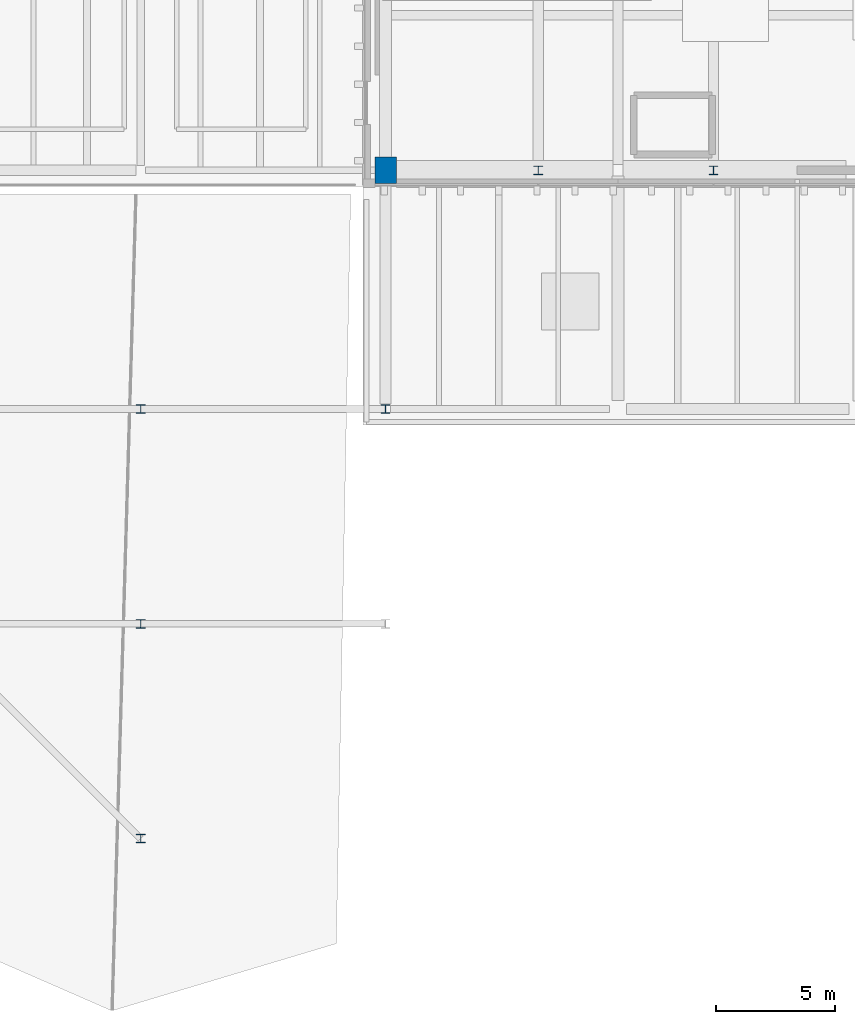
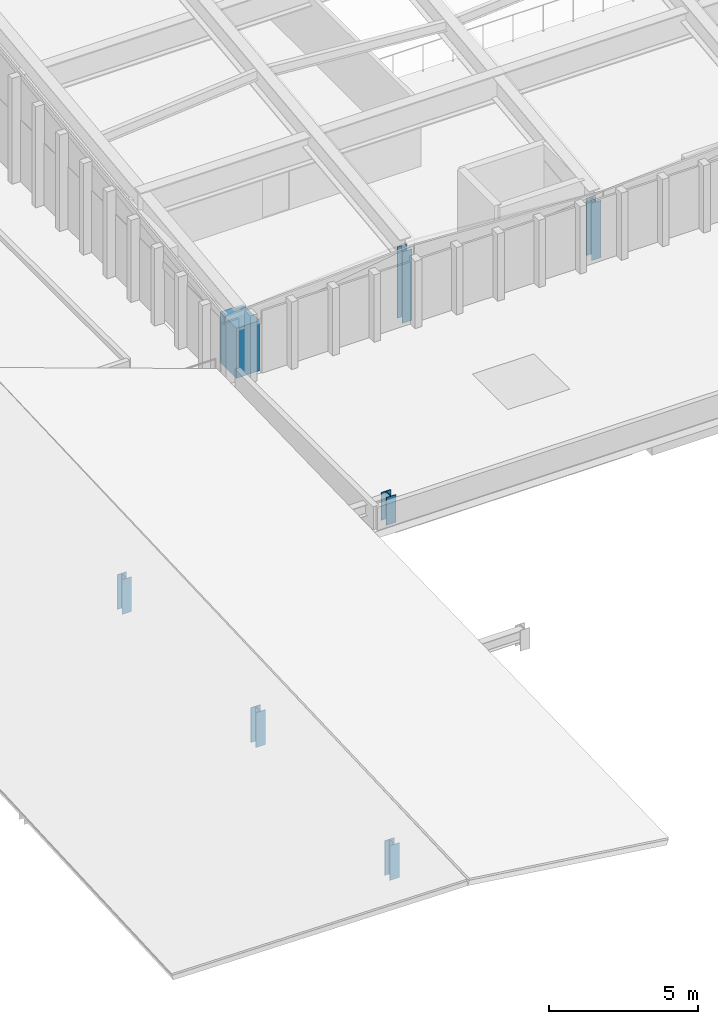
# One storey, part 2 of 30: 7 columns.
"""IFC4 building model written with IfcOpenShell, lengths in metres."""

import ifcopenshell
import ifcopenshell.guid

model = None  # the IFC model being written
_history = None  # IfcOwnerHistory: only IFC2X3 demands one
_inside = {}  # id of a spatial element -> (the spatial element, [elements in it])
_under = {}  # id of a project, library or spatial element -> (it, [spatial elements below it])
_declared = {}  # id of a project -> (the project, [libraries it declares])
_typed = {}  # id of a type object -> (the type object, [elements of that type])
_made_of = {}  # id of a material, layer set ... -> (it, [elements and type objects made of it])


def new_model(schema):
    """Start an empty IFC model of exactly this schema.

    Asked for "IFC4X3", IfcOpenShell would pick the latest addendum, in which some entities
    have other attributes; the version numbers below select the first issue.
    IFC2X3 requires an IfcOwnerHistory on every rooted entity: one is made here for all.
    """
    global model, _history
    if schema == "IFC4X3":
        model = ifcopenshell.file(schema_version=(4, 3, 0, 0))
    else:
        model = ifcopenshell.file(schema=schema)
    _inside.clear()
    _under.clear()
    _declared.clear()
    _typed.clear()
    _made_of.clear()
    _history = None
    if model.schema == "IFC2X3":
        org = make("IfcOrganization", Name="unknown")
        user = make(
            "IfcPersonAndOrganization",
            ThePerson=make("IfcPerson", FamilyName="unknown"),
            TheOrganization=org,
        )
        app = make(
            "IfcApplication",
            ApplicationDeveloper=org,
            Version="unknown",
            ApplicationFullName="unknown",
            ApplicationIdentifier="unknown",
        )
        _history = make(
            "IfcOwnerHistory",
            OwningUser=user,
            OwningApplication=app,
            ChangeAction="ADDED",
            CreationDate=0,
        )
    return model


def make(cls, **values):
    """One entity of the class cls with the attributes given. An attribute that is None is left unset."""
    return model.create_entity(
        cls, **{name: value for name, value in values.items() if value is not None}
    )


def rooted(cls, **values):
    """An entity with a GlobalId (a new one), such as an element, a storey or a relation."""
    return make(cls, GlobalId=ifcopenshell.guid.new(), OwnerHistory=_history, **values)


def si_unit(unit_type, name, prefix=None):
    """IfcSIUnit, for example si_unit("LENGTHUNIT", "METRE", prefix="MILLI")."""
    return make("IfcSIUnit", UnitType=unit_type, Prefix=prefix, Name=name)


def assignment(units):
    """IfcUnitAssignment: the units of a project."""
    return None if units is None else make("IfcUnitAssignment", Units=units)


def point(xyz):
    """IfcCartesianPoint."""
    return None if xyz is None else make("IfcCartesianPoint", Coordinates=xyz)


def direction(xyz):
    """IfcDirection."""
    return None if xyz is None else make("IfcDirection", DirectionRatios=xyz)


def frame(location, z_axis=None, x_axis=None):
    """IfcAxis2Placement3D, a coordinate frame: its origin and axes. An axis left out is left unset."""
    return make(
        "IfcAxis2Placement3D",
        Location=point(location),
        Axis=direction(z_axis),
        RefDirection=direction(x_axis),
    )


def frame_2d(location, x_axis=None):
    """IfcAxis2Placement2D, a coordinate frame in the plane: its origin and x axis."""
    return make(
        "IfcAxis2Placement2D", Location=point(location), RefDirection=direction(x_axis)
    )


def origin():
    """The frame at (0, 0, 0) with its axes left unset."""
    return frame((0.0, 0.0, 0.0))


def origin_2d():
    """The frame at (0, 0) in the plane with its x axis left unset."""
    return frame_2d((0.0, 0.0))


def place(relative_to, where):
    """IfcLocalPlacement: puts the frame where relative to a parent placement (None: the world)."""
    return make(
        "IfcLocalPlacement", PlacementRelTo=relative_to, RelativePlacement=where
    )


def context(
    kind, dimensions, precision=None, world=None, true_north=None, identifier=None
):
    """IfcGeometricRepresentationContext, for example the 3D "Model" context."""
    return make(
        "IfcGeometricRepresentationContext",
        ContextIdentifier=identifier,
        ContextType=kind,
        CoordinateSpaceDimension=dimensions,
        Precision=precision,
        WorldCoordinateSystem=world,
        TrueNorth=true_north,
    )


def subcontext(parent, identifier, kind, view, scale=None):
    """IfcGeometricRepresentationSubContext, for example "Body" below "Model"."""
    return make(
        "IfcGeometricRepresentationSubContext",
        ContextIdentifier=identifier,
        ContextType=kind,
        ParentContext=parent,
        TargetScale=scale,
        TargetView=view,
    )


def project(units=None, contexts=None):
    """IfcProject with its units and contexts."""
    return rooted(
        "IfcProject",
        Name="project",
        RepresentationContexts=contexts,
        UnitsInContext=assignment(units),
    )


def spatial(cls, under=None, at=None, **own):
    """A site, building, storey or space (cls), placed at a placement, below another one or the project."""
    s = rooted(cls, ObjectPlacement=at, **own)
    if under is not None:
        _under.setdefault(under.id(), (under, []))[1].append(s)
    return s


def profile(cls, at=None, kind="AREA", **sizes):
    """A parametric profile (cls). Its sizes go by their IFC names, for example OverallWidth=200.0."""
    return make(cls, ProfileType=kind, Position=at, **sizes)


def rectangle(**sizes):
    """IfcRectangleProfileDef."""
    return profile("IfcRectangleProfileDef", **sizes)


def i_section(**sizes):
    """IfcIShapeProfileDef."""
    return profile("IfcIShapeProfileDef", **sizes)


def extrude(swept, where, along, depth):
    """IfcExtrudedAreaSolid: the profile swept, set in the frame where, extruded along a direction by depth."""
    return make(
        "IfcExtrudedAreaSolid",
        SweptArea=swept,
        Position=where,
        ExtrudedDirection=direction(along),
        Depth=depth,
    )


def shape(context_of_items, identifier, shape_type, items):
    """IfcShapeRepresentation: the items that make up one representation, for example the "Body"."""
    return make(
        "IfcShapeRepresentation",
        ContextOfItems=context_of_items,
        RepresentationIdentifier=identifier,
        RepresentationType=shape_type,
        Items=items,
    )


def material(Name=None, Category=None):
    """IfcMaterial."""
    return make("IfcMaterial", Name=Name, Category=Category)


def material_profile(
    of_material, cross_section, Name=None, Category=None, Priority=None
):
    """IfcMaterialProfile: a cross section and its material."""
    return make(
        "IfcMaterialProfile",
        Name=Name,
        Material=of_material,
        Profile=cross_section,
        Priority=Priority,
        Category=Category,
    )


def profile_set(profiles, Name=None, composite=None):
    """IfcMaterialProfileSet."""
    return make(
        "IfcMaterialProfileSet",
        Name=Name,
        MaterialProfiles=profiles,
        CompositeProfile=composite,
    )


def made_of(thing, what):
    """Note that an element or type object is made of a material, layer set ...; save() writes the relation."""
    if what is not None:
        _made_of.setdefault(what.id(), (what, []))[1].append(thing)
    return thing


def type_object(cls, material=None, **own):
    """A type object (cls), such as IfcWallType, which elements share."""
    return made_of(rooted(cls, **own), material)


def element(
    cls,
    number,
    at=None,
    inside=None,
    cuts=None,
    type_object=None,
    material=None,
    context=None,
    identifier="Body",
    shape_type=None,
    held_by="IfcProductDefinitionShape",
    body=None,
    shapes=None,
    **own,
):
    """One element of the class cls, such as IfcWall. Its Tag is "e" and its number.

    at: its placement. inside: the storey or other place that contains it. cuts: it is an
    opening in that element (IfcRelVoidsElement). A single representation is given by context,
    identifier, shape_type and body (its items); several are given by shapes. held_by: the class
    of the entity that holds the representations. save() writes the other relations.
    """
    e = rooted(cls, Tag="e%d" % number, ObjectPlacement=at, **own)
    if body is not None:
        shapes = [shape(context, identifier, shape_type, body)]
    if shapes is not None:
        e.Representation = make(held_by, Representations=shapes)
    if inside is not None:
        _inside.setdefault(inside.id(), (inside, []))[1].append(e)
    if cuts is not None:
        rooted(
            "IfcRelVoidsElement", RelatingBuildingElement=cuts, RelatedOpeningElement=e
        )
    if type_object is not None:
        _typed.setdefault(type_object.id(), (type_object, []))[1].append(e)
    return made_of(e, material)


def aggregate(whole, parts):
    """IfcRelAggregates: a whole, such as a stair, and the parts it consists of."""
    return rooted("IfcRelAggregates", RelatingObject=whole, RelatedObjects=parts)


def save(model, path):
    """Write the relations noted so far, then the file.

    IfcRelAggregates (storeys below a building ...), IfcRelContainedInSpatialStructure (elements
    in a storey), IfcRelDefinesByType, IfcRelAssociatesMaterial and IfcRelDeclares: one each for
    every whole, place, type object, material and project.
    """
    for whole, parts in _under.values():
        aggregate(whole, parts)
    for where, things in _inside.values():
        rooted(
            "IfcRelContainedInSpatialStructure",
            RelatedElements=things,
            RelatingStructure=where,
        )
    for kind, things in _typed.values():
        rooted("IfcRelDefinesByType", RelatedObjects=things, RelatingType=kind)
    for what, things in _made_of.values():
        rooted("IfcRelAssociatesMaterial", RelatedObjects=things, RelatingMaterial=what)
    for by, libraries in _declared.values():
        rooted("IfcRelDeclares", RelatingContext=by, RelatedDefinitions=libraries)
    model.write(path)


model = new_model("IFC4")

# Units and contexts
model_context = context("Model", 3, precision=1e-05, world=origin(), true_north=direction((0.0, 1.0)))
body_context = subcontext(model_context, "Body", "Model", "MODEL_VIEW")
ifc_project = project(units=[si_unit("LENGTHUNIT", "METRE"), si_unit("AREAUNIT", "SQUARE_METRE"), si_unit("VOLUMEUNIT", "CUBIC_METRE"), si_unit("PLANEANGLEUNIT", "RADIAN"), si_unit("MASSUNIT", "GRAM", prefix="KILO")], contexts=[model_context])

# Site, building, storey
site_placement = place(None, origin())
site = spatial("IfcSite", under=ifc_project, at=site_placement, CompositionType="ELEMENT")
building_placement = place(site_placement, origin())
building = spatial("IfcBuilding", under=site, at=building_placement, Name="Trimount Lyric Opera House", CompositionType="ELEMENT")
storey_placement = place(building_placement, frame((0.0, 0.0, 24.800048828125)))
storey = spatial("IfcBuildingStorey", under=building, at=storey_placement, Name="L05", CompositionType="ELEMENT", Elevation=24.800048828125)

# Columns
ifc_material_1 = material(Name="Steel ASTM A992 Grade 50", Category="steel")
ifc_material_profile_1 = material_profile(ifc_material_1, i_section(OverallWidth=0.367919921875, OverallDepth=0.35595703125, WebThickness=0.01123046875, FlangeThickness=0.01806640625, FilletRadius=0.014892578125, at=origin_2d()), Name="W14X90")
ifc_profile_set_1 = profile_set([ifc_material_profile_1], Name="Steel ASTM A992 Grade 50")
column_type_1 = type_object("IfcColumnType", Name="C-05", PredefinedType="COLUMN", material=ifc_profile_set_1)
for number, where, z_axis, x_axis, name in (
    (1, (54.0, 26.0, -0.360107421875), (0.0, 0.0, 1.0), (1.0, 0.0, 0.0), "L05 crystal roof column 54/26"),
    (2, (54.0, 35.0, -0.360107421875), (0.0, 0.0, 1.0), (1.0, 0.0, 0.0), "L05 crystal roof column 54/35"),
    (3, (54.0, 44.0, -0.360107421875), (0.0, 0.0, 1.0), (1.0, 0.0, 0.0), "L05 crystal roof column 54/44"),
):
    element("IfcColumn", number, at=place(storey_placement, frame(where, z_axis=z_axis, x_axis=x_axis)), inside=storey, type_object=column_type_1, Name=name, PredefinedType="COLUMN", context=body_context, shape_type="SweptSolid", body=[
        extrude(i_section(OverallWidth=0.367919921875, OverallDepth=0.35595703125, WebThickness=0.01123046875, FlangeThickness=0.01806640625, FilletRadius=0.014892578125, at=origin_2d()), origin(), (0.0, 0.0, 1.0), 1.43017578125),
    ])
column_1_placement = place(storey_placement, frame((64.260009765625, 44.0, -0.2900390625), z_axis=(0.0, 0.0, 1.0), x_axis=(1.0, 0.0, 0.0)))
element("IfcColumn", 4, at=column_1_placement, inside=storey, type_object=column_type_1, Name="L05 crystal roof column 64/44", PredefinedType="COLUMN", context=body_context, shape_type="SweptSolid", body=[
    extrude(i_section(OverallWidth=0.367919921875, OverallDepth=0.35595703125, WebThickness=0.01123046875, FlangeThickness=0.01806640625, FilletRadius=0.014892578125, at=origin_2d()), origin(), (0.0, 0.0, 1.0), 1.139892578125),
])
column_2_placement = place(storey_placement, frame((70.6572265625, 54.0, -0.300048828125), z_axis=(0.0, 0.0, 1.0), x_axis=(1.0, 0.0, 0.0)))
element("IfcColumn", 5, at=column_2_placement, inside=storey, type_object=column_type_1, Name="Auditorium folded roof internal post 2S", PredefinedType="COLUMN", context=body_context, shape_type="SweptSolid", body=[
    extrude(i_section(OverallWidth=0.367919921875, OverallDepth=0.35595703125, WebThickness=0.01123046875, FlangeThickness=0.01806640625, FilletRadius=0.014892578125, at=origin_2d()), origin(), (0.0, 0.0, 1.0), 2.926513671875),
])
column_3_placement = place(storey_placement, frame((77.994384765625, 54.0, -0.300048828125), z_axis=(0.0, 0.0, 1.0), x_axis=(1.0, 0.0, 0.0)))
element("IfcColumn", 6, at=column_3_placement, inside=storey, type_object=column_type_1, Name="Auditorium folded roof internal post 3S", PredefinedType="COLUMN", context=body_context, shape_type="SweptSolid", body=[
    extrude(i_section(OverallWidth=0.367919921875, OverallDepth=0.35595703125, WebThickness=0.01123046875, FlangeThickness=0.01806640625, FilletRadius=0.014892578125, at=origin_2d()), origin(), (0.0, 0.0, 1.0), 2.3564453125),
])
ifc_material_2 = material(Name="Concrete C50/60", Category="concrete")
ifc_material_profile_2 = material_profile(ifc_material_2, rectangle(XDim=0.89990234375, YDim=1.10009765625, at=origin_2d()), Name="RC1100X900")
ifc_profile_set_2 = profile_set([ifc_material_profile_2], Name="Concrete C50/60")
column_type_2 = type_object("IfcColumnType", Name="C-11", PredefinedType="COLUMN", material=ifc_profile_set_2)
column_4_placement = place(storey_placement, frame((64.260009765625, 54.0, 0.0), z_axis=(0.0, 0.0, 1.0), x_axis=(1.0, 0.0, 0.0)))
element("IfcColumn", 7, at=column_4_placement, inside=storey, type_object=column_type_2, Name="L05 column 8/G", PredefinedType="COLUMN", context=body_context, shape_type="SweptSolid", body=[
    extrude(rectangle(XDim=0.89990234375, YDim=1.10009765625, at=origin_2d()), origin(), (0.0, 0.0, 1.0), 2.06005859375),
])

save(model, "model.ifc")
